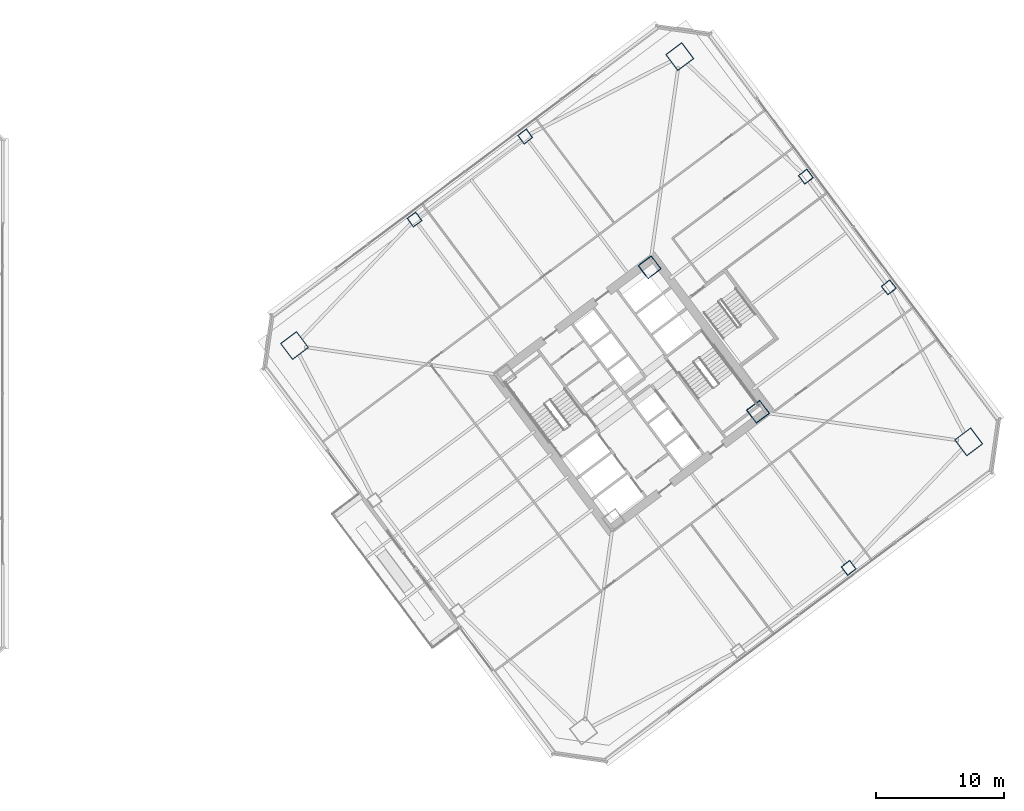
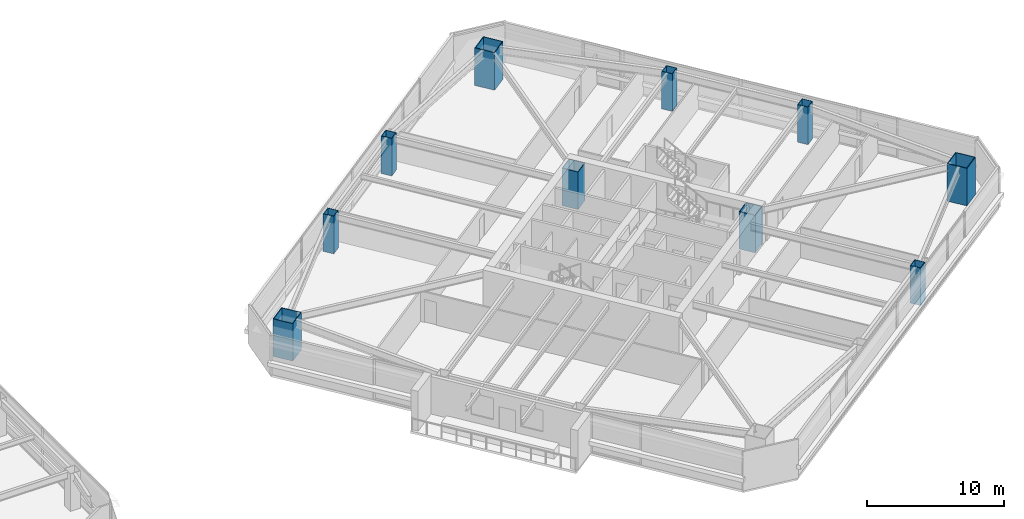
# One storey, part 2 of 48: 10 columns.
"""IFC4 building model written with IfcOpenShell, lengths in metres."""

from ifc_helpers import new_model, si_unit, direction, frame, origin, origin_2d, place, context, subcontext, project, spatial, hollow_rectangle, extrude, material, material_profile, profile_set, type_object, element, save


model = new_model("IFC4")

# Units and contexts
model_context = context("Model", 3, precision=1e-05, world=origin(), true_north=direction((0.0, 1.0)))
body_context = subcontext(model_context, "Body", "Model", "MODEL_VIEW")
ifc_project = project(units=[si_unit("LENGTHUNIT", "METRE"), si_unit("AREAUNIT", "SQUARE_METRE"), si_unit("VOLUMEUNIT", "CUBIC_METRE"), si_unit("PLANEANGLEUNIT", "RADIAN"), si_unit("MASSUNIT", "GRAM", prefix="KILO")], contexts=[model_context])

# Site, building, storey
site_placement = place(None, origin())
site = spatial("IfcSite", under=ifc_project, at=site_placement, CompositionType="ELEMENT")
building_placement = place(site_placement, origin())
building = spatial("IfcBuilding", under=site, at=building_placement, Name="Tashvorn Skyway Center", CompositionType="ELEMENT")
storey_placement = place(building_placement, frame((0.0, 0.0, 56.550048828125)))
storey = spatial("IfcBuildingStorey", under=building, at=storey_placement, Name="L14", CompositionType="ELEMENT", Elevation=56.550048828125)

# Columns
ifc_material = material(Name="Steel ASTM A572 Grade 50", Category="steel")
ifc_material_profile_1 = material_profile(ifc_material, hollow_rectangle(XDim=1.300048828125, YDim=1.300048828125, WallThickness=0.050048828125, at=origin_2d()), Name="BOX1300x1300x50")
ifc_profile_set_1 = profile_set([ifc_material_profile_1], Name="Steel ASTM A572 Grade 50")
column_type_1 = type_object("IfcColumnType", Name="COL-BOX1300x1300x50", PredefinedType="COLUMN", material=ifc_profile_set_1)
for number, where, z_axis, x_axis, name in (
    (1, (123.8701171875, 30.590087890625, 0.0), (0.0, 0.0, 1.0), (0.799999996291, 0.600000004945, 0.0), "Tower 2 L14 Core Corner Column CC-SE"),
    (2, (115.409912109375, 41.8701171875, 0.0), (0.0, 0.0, 1.0), (0.799999996291, 0.600000004945, 0.0), "Tower 2 L14 Core Corner Column CC-NE"),
):
    element("IfcColumn", number, at=place(storey_placement, frame(where, z_axis=z_axis, x_axis=x_axis)), inside=storey, type_object=column_type_1, Name=name, PredefinedType="COLUMN", context=body_context, shape_type="SweptSolid", body=[
        extrude(hollow_rectangle(XDim=1.300048828125, YDim=1.300048828125, WallThickness=0.050048828125, at=origin_2d()), origin(), (0.0, 0.0, 1.0), 3.349853515625),
    ])
ifc_material_profile_2 = material_profile(ifc_material, hollow_rectangle(XDim=1.60009765625, YDim=1.60009765625, WallThickness=0.06005859375, at=origin_2d()), Name="BOX1600x1600x60")
ifc_profile_set_2 = profile_set([ifc_material_profile_2], Name="Steel ASTM A572 Grade 50")
column_type_2 = type_object("IfcColumnType", Name="COL-BOX1600x1600x60", PredefinedType="COLUMN", material=ifc_profile_set_2)
for number, where, z_axis, x_axis, name in (
    (3, (140.320068359375, 28.239990234375, 0.0), (0.0, 0.0, 1.0), (0.799999996291, 0.600000004945, 0.0), "Tower 2 L14 Mega-Column MC-SE"),
    (4, (117.760009765625, 58.320068359375, 0.0), (0.0, 0.0, 1.0), (0.799999996291, 0.600000004945, 0.0), "Tower 2 L14 Mega-Column MC-NE"),
    (5, (87.679931640625, 35.760009765625, 0.0), (0.0, 0.0, 1.0), (0.799999996291, 0.600000004945, 0.0), "Tower 2 L14 Mega-Column MC-NW"),
):
    element("IfcColumn", number, at=place(storey_placement, frame(where, z_axis=z_axis, x_axis=x_axis)), inside=storey, type_object=column_type_2, Name=name, PredefinedType="COLUMN", context=body_context, shape_type="SweptSolid", body=[
        extrude(hollow_rectangle(XDim=1.60009765625, YDim=1.60009765625, WallThickness=0.06005859375, at=origin_2d()), origin(), (0.0, 0.0, 1.0), 3.349853515625),
    ])
ifc_material_profile_3 = material_profile(ifc_material, hollow_rectangle(XDim=0.85009765625, YDim=0.85009765625, WallThickness=0.034912109375, at=origin_2d()), Name="BOX850x850x35")
ifc_profile_set_3 = profile_set([ifc_material_profile_3], Name="Steel ASTM A572 Grade 50")
column_type_3 = type_object("IfcColumnType", Name="COL-BOX850x850x35", PredefinedType="COLUMN", material=ifc_profile_set_3)
for number, where, z_axis, x_axis, name in (
    (6, (130.949951171875, 18.39990234375, 0.0), (0.0, 0.0, 1.0), (0.799999996291, 0.600000004945, 0.0), "Tower 2 L14 Perimeter Column FC-S2"),
    (7, (134.080078125, 40.31005859375, 0.0), (0.0, 0.0, 1.0), (0.799999996291, 0.600000004945, 0.0), "Tower 2 L14 Perimeter Column FC-E1"),
    (8, (127.60009765625, 48.949951171875, 0.0), (0.0, 0.0, 1.0), (0.799999996291, 0.600000004945, 0.0), "Tower 2 L14 Perimeter Column FC-E2"),
    (9, (105.68994140625, 52.080078125, 0.0), (0.0, 0.0, 1.0), (0.799999996291, 0.600000004945, 0.0), "Tower 2 L14 Perimeter Column FC-N1"),
    (10, (97.050048828125, 45.60009765625, 0.0), (0.0, 0.0, 1.0), (0.799999996291, 0.600000004945, 0.0), "Tower 2 L14 Perimeter Column FC-N2"),
):
    element("IfcColumn", number, at=place(storey_placement, frame(where, z_axis=z_axis, x_axis=x_axis)), inside=storey, type_object=column_type_3, Name=name, PredefinedType="COLUMN", context=body_context, shape_type="SweptSolid", body=[
        extrude(hollow_rectangle(XDim=0.85009765625, YDim=0.85009765625, WallThickness=0.034912109375, at=origin_2d()), origin(), (0.0, 0.0, 1.0), 3.349853515625),
    ])

save(model, "model.ifc")
